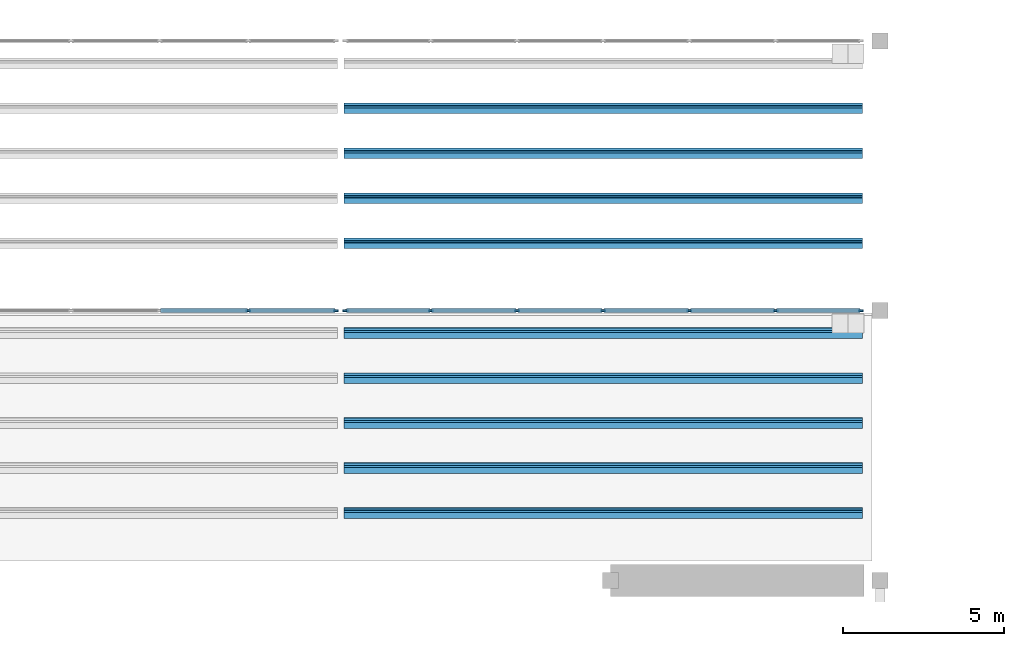
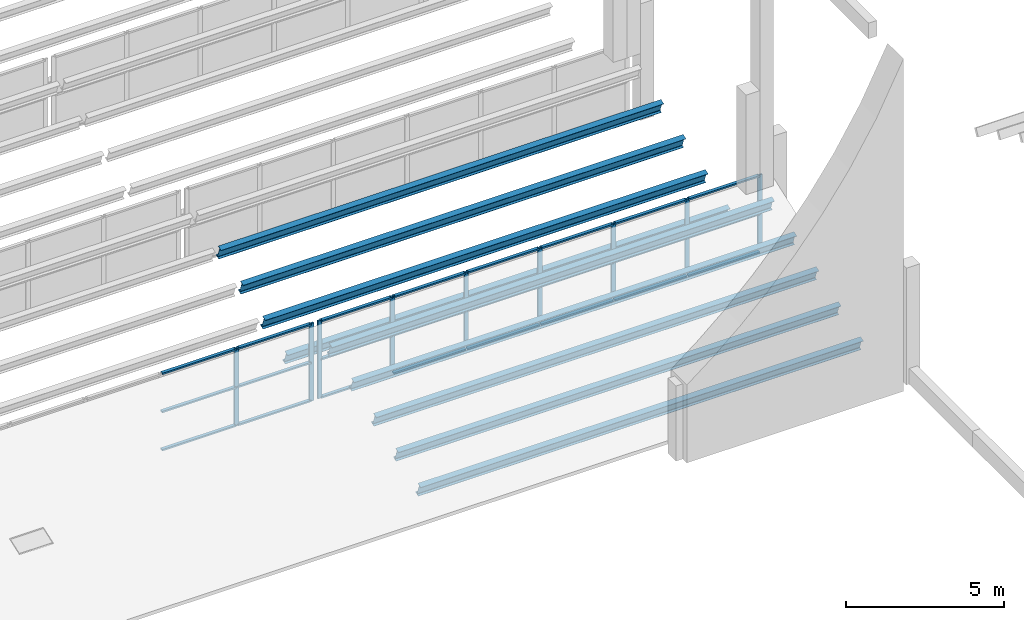
# One storey, part 20 of 116: 42 members, 2 elements without a shape of their own.
"""IFC4 building model written with IfcOpenShell, lengths in metres."""

from ifc_helpers import new_model, si_unit, direction, frame, origin, origin_2d, place, context, subcontext, project, spatial, rectangle, i_section, extrude, material, material_profile, profile_set, type_object, element, aggregate, save


model = new_model("IFC4")

# Units and contexts
model_context = context("Model", 3, precision=1e-05, world=origin(), true_north=direction((0.0, 1.0)))
body_context = subcontext(model_context, "Body", "Model", "MODEL_VIEW")
ifc_project = project(units=[si_unit("LENGTHUNIT", "METRE"), si_unit("AREAUNIT", "SQUARE_METRE"), si_unit("VOLUMEUNIT", "CUBIC_METRE"), si_unit("PLANEANGLEUNIT", "RADIAN"), si_unit("MASSUNIT", "GRAM", prefix="KILO")], contexts=[model_context])

# Site, building, storey
site_placement = place(None, origin())
site = spatial("IfcSite", under=ifc_project, at=site_placement, CompositionType="ELEMENT")
building_placement = place(site_placement, origin())
building = spatial("IfcBuilding", under=site, at=building_placement, Name="Fescue Hill Polytechnic", CompositionType="ELEMENT")
storey_placement = place(building_placement, frame((0.0, 0.0, 13.5)))
storey = spatial("IfcBuildingStorey", under=building, at=storey_placement, Name="L03", CompositionType="ELEMENT", Elevation=13.5)

# Curtain wall, members
ifc_material_1 = material(Name="Aluminium and glass", Category="aluminium")
curtain_wall_type = type_object("IfcCurtainWallType", Name="Sawtooth north glazing curtain wall", PredefinedType="NOTDEFINED", material=ifc_material_1)
curtain_wall_1_placement = place(storey_placement, origin())
curtain_wall_1 = element("IfcCurtainWall", 1, at=curtain_wall_1_placement, inside=storey, type_object=curtain_wall_type, Name="Sawtooth 1 north glazing bay 6", PredefinedType="NOTDEFINED")
ifc_material_2 = material(Name="Aluminium", Category="aluminium")
ifc_material_profile_1 = material_profile(ifc_material_2, rectangle(XDim=0.06005859375, YDim=0.159912109375, at=origin_2d()), Name="Curtain wall mullion 60x160")
ifc_profile_set_1 = profile_set([ifc_material_profile_1], Name="Aluminium")
member_type_1 = type_object("IfcMemberType", Name="Curtain wall mullion 60x160", PredefinedType="MULLION", material=ifc_profile_set_1)
member_1_placement = place(storey_placement, frame((97.919921875, 25.199951171875, 0.0), z_axis=(0.0, 0.0, 1.0), x_axis=(0.0, 1.0, 0.0)))
member_1 = element("IfcMember", 2, at=member_1_placement, type_object=member_type_1, Name="CW6 mullion 6", PredefinedType="MULLION", context=body_context, shape_type="SweptSolid", body=[
    extrude(rectangle(XDim=0.06005859375, YDim=0.159912109375, at=origin_2d()), origin(), (0.0, 0.0, 1.0), 3.0),
])
member_2_placement = place(storey_placement, frame((100.64990234375, 25.199951171875, 0.0), z_axis=(0.0, 0.0, 1.0), x_axis=(0.0, 1.0, 0.0)))
member_2 = element("IfcMember", 3, at=member_2_placement, type_object=member_type_1, Name="CW6 mullion 7", PredefinedType="MULLION", context=body_context, shape_type="SweptSolid", body=[
    extrude(rectangle(XDim=0.06005859375, YDim=0.159912109375, at=origin_2d()), origin(), (0.0, 0.0, 1.0), 3.0),
])

curtain_wall_2_placement = place(storey_placement, origin())
curtain_wall_2 = element("IfcCurtainWall", 4, at=curtain_wall_2_placement, inside=storey, type_object=curtain_wall_type, Name="Sawtooth 1 north glazing bay 7", PredefinedType="NOTDEFINED")
member_3_placement = place(storey_placement, frame((100.949951171875, 25.199951171875, 0.0), z_axis=(0.0, 0.0, 1.0), x_axis=(0.0, 1.0, 0.0)))
member_3 = element("IfcMember", 5, at=member_3_placement, type_object=member_type_1, Name="CW7 mullion 1", PredefinedType="MULLION", context=body_context, shape_type="SweptSolid", body=[
    extrude(rectangle(XDim=0.06005859375, YDim=0.159912109375, at=origin_2d()), origin(), (0.0, 0.0, 1.0), 3.0),
])
member_4_placement = place(storey_placement, frame((103.60498046875, 25.199951171875, 0.0), z_axis=(0.0, 0.0, 1.0), x_axis=(0.0, 1.0, 0.0)))
member_4 = element("IfcMember", 6, at=member_4_placement, type_object=member_type_1, Name="CW7 mullion 2", PredefinedType="MULLION", context=body_context, shape_type="SweptSolid", body=[
    extrude(rectangle(XDim=0.06005859375, YDim=0.159912109375, at=origin_2d()), origin(), (0.0, 0.0, 1.0), 3.0),
])
member_5_placement = place(storey_placement, frame((106.2900390625, 25.199951171875, 0.0), z_axis=(0.0, 0.0, 1.0), x_axis=(0.0, 1.0, 0.0)))
member_5 = element("IfcMember", 7, at=member_5_placement, type_object=member_type_1, Name="CW7 mullion 3", PredefinedType="MULLION", context=body_context, shape_type="SweptSolid", body=[
    extrude(rectangle(XDim=0.06005859375, YDim=0.159912109375, at=origin_2d()), origin(), (0.0, 0.0, 1.0), 3.0),
])
member_6_placement = place(storey_placement, frame((108.97509765625, 25.199951171875, 0.0), z_axis=(0.0, 0.0, 1.0), x_axis=(0.0, 1.0, 0.0)))
member_6 = element("IfcMember", 8, at=member_6_placement, type_object=member_type_1, Name="CW7 mullion 4", PredefinedType="MULLION", context=body_context, shape_type="SweptSolid", body=[
    extrude(rectangle(XDim=0.06005859375, YDim=0.159912109375, at=origin_2d()), origin(), (0.0, 0.0, 1.0), 3.0),
])
member_7_placement = place(storey_placement, frame((111.659912109375, 25.199951171875, 0.0), z_axis=(0.0, 0.0, 1.0), x_axis=(0.0, 1.0, 0.0)))
member_7 = element("IfcMember", 9, at=member_7_placement, type_object=member_type_1, Name="CW7 mullion 5", PredefinedType="MULLION", context=body_context, shape_type="SweptSolid", body=[
    extrude(rectangle(XDim=0.06005859375, YDim=0.159912109375, at=origin_2d()), origin(), (0.0, 0.0, 1.0), 3.0),
])
member_8_placement = place(storey_placement, frame((114.344970703125, 25.199951171875, 0.0), z_axis=(0.0, 0.0, 1.0), x_axis=(0.0, 1.0, 0.0)))
member_8 = element("IfcMember", 10, at=member_8_placement, type_object=member_type_1, Name="CW7 mullion 6", PredefinedType="MULLION", context=body_context, shape_type="SweptSolid", body=[
    extrude(rectangle(XDim=0.06005859375, YDim=0.159912109375, at=origin_2d()), origin(), (0.0, 0.0, 1.0), 3.0),
])
member_9_placement = place(storey_placement, frame((117.0, 25.199951171875, 0.0), z_axis=(0.0, 0.0, 1.0), x_axis=(0.0, 1.0, 0.0)))
member_9 = element("IfcMember", 11, at=member_9_placement, type_object=member_type_1, Name="CW7 mullion 7", PredefinedType="MULLION", context=body_context, shape_type="SweptSolid", body=[
    extrude(rectangle(XDim=0.06005859375, YDim=0.159912109375, at=origin_2d()), origin(), (0.0, 0.0, 1.0), 3.0),
])

# Member
ifc_material_profile_2 = material_profile(ifc_material_2, rectangle(XDim=0.1201171875, YDim=0.06005859375, at=origin_2d()), Name="Curtain wall transom 60x120")
ifc_profile_set_2 = profile_set([ifc_material_profile_2], Name="Aluminium")
member_type_2 = type_object("IfcMemberType", Name="Curtain wall transom 60x120", PredefinedType="USERDEFINED", material=ifc_profile_set_2)
member_10_placement = place(storey_placement, frame((95.18994140625, 25.199951171875, 0.030029296875), z_axis=(1.0, 0.0, 0.0), x_axis=(0.0, 1.0, 0.0)))
member_10 = element("IfcMember", 12, at=member_10_placement, type_object=member_type_2, Name="CW6 transom 5.1", ObjectType="TRANSOM", PredefinedType="USERDEFINED", context=body_context, shape_type="SweptSolid", body=[
    extrude(rectangle(XDim=0.1201171875, YDim=0.06005859375, at=origin_2d()), origin(), (0.0, 0.0, 1.0), 2.699951171875),
])

member_11_placement = place(storey_placement, frame((95.18994140625, 25.199951171875, 1.5), z_axis=(1.0, 0.0, 0.0), x_axis=(0.0, 1.0, 0.0)))
member_11 = element("IfcMember", 13, at=member_11_placement, type_object=member_type_2, Name="CW6 transom 5.2", ObjectType="TRANSOM", PredefinedType="USERDEFINED", context=body_context, shape_type="SweptSolid", body=[
    extrude(rectangle(XDim=0.1201171875, YDim=0.06005859375, at=origin_2d()), origin(), (0.0, 0.0, 1.0), 2.699951171875),
])

member_12_placement = place(storey_placement, frame((95.18994140625, 25.199951171875, 2.969970703125), z_axis=(1.0, 0.0, 0.0), x_axis=(0.0, 1.0, 0.0)))
member_12 = element("IfcMember", 14, at=member_12_placement, type_object=member_type_2, Name="CW6 transom 5.3", ObjectType="TRANSOM", PredefinedType="USERDEFINED", context=body_context, shape_type="SweptSolid", body=[
    extrude(rectangle(XDim=0.1201171875, YDim=0.06005859375, at=origin_2d()), origin(), (0.0, 0.0, 1.0), 2.699951171875),
])

member_13_placement = place(storey_placement, frame((97.949951171875, 25.199951171875, 0.030029296875), z_axis=(1.0, 0.0, 0.0), x_axis=(0.0, 1.0, 0.0)))
member_13 = element("IfcMember", 15, at=member_13_placement, type_object=member_type_2, Name="CW6 transom 6.1", ObjectType="TRANSOM", PredefinedType="USERDEFINED", context=body_context, shape_type="SweptSolid", body=[
    extrude(rectangle(XDim=0.1201171875, YDim=0.06005859375, at=origin_2d()), origin(), (0.0, 0.0, 1.0), 2.670166015625),
])

member_14_placement = place(storey_placement, frame((97.949951171875, 25.199951171875, 1.5), z_axis=(1.0, 0.0, 0.0), x_axis=(0.0, 1.0, 0.0)))
member_14 = element("IfcMember", 16, at=member_14_placement, type_object=member_type_2, Name="CW6 transom 6.2", ObjectType="TRANSOM", PredefinedType="USERDEFINED", context=body_context, shape_type="SweptSolid", body=[
    extrude(rectangle(XDim=0.1201171875, YDim=0.06005859375, at=origin_2d()), origin(), (0.0, 0.0, 1.0), 2.670166015625),
])

member_15_placement = place(storey_placement, frame((97.949951171875, 25.199951171875, 2.969970703125), z_axis=(1.0, 0.0, 0.0), x_axis=(0.0, 1.0, 0.0)))
member_15 = element("IfcMember", 17, at=member_15_placement, type_object=member_type_2, Name="CW6 transom 6.3", ObjectType="TRANSOM", PredefinedType="USERDEFINED", context=body_context, shape_type="SweptSolid", body=[
    extrude(rectangle(XDim=0.1201171875, YDim=0.06005859375, at=origin_2d()), origin(), (0.0, 0.0, 1.0), 2.670166015625),
])

aggregate(curtain_wall_1, [member_1, member_2, member_10, member_11, member_12, member_13, member_14, member_15])

member_16_placement = place(storey_placement, frame((100.97998046875, 25.199951171875, 0.030029296875), z_axis=(1.0, 0.0, 0.0), x_axis=(0.0, 1.0, 0.0)))
member_16 = element("IfcMember", 18, at=member_16_placement, type_object=member_type_2, Name="CW7 transom 1.1", ObjectType="TRANSOM", PredefinedType="USERDEFINED", context=body_context, shape_type="SweptSolid", body=[
    extrude(rectangle(XDim=0.1201171875, YDim=0.06005859375, at=origin_2d()), origin(), (0.0, 0.0, 1.0), 2.594970703125),
])

member_17_placement = place(storey_placement, frame((100.97998046875, 25.199951171875, 1.5), z_axis=(1.0, 0.0, 0.0), x_axis=(0.0, 1.0, 0.0)))
member_17 = element("IfcMember", 19, at=member_17_placement, type_object=member_type_2, Name="CW7 transom 1.2", ObjectType="TRANSOM", PredefinedType="USERDEFINED", context=body_context, shape_type="SweptSolid", body=[
    extrude(rectangle(XDim=0.1201171875, YDim=0.06005859375, at=origin_2d()), origin(), (0.0, 0.0, 1.0), 2.594970703125),
])

member_18_placement = place(storey_placement, frame((100.97998046875, 25.199951171875, 2.969970703125), z_axis=(1.0, 0.0, 0.0), x_axis=(0.0, 1.0, 0.0)))
member_18 = element("IfcMember", 20, at=member_18_placement, type_object=member_type_2, Name="CW7 transom 1.3", ObjectType="TRANSOM", PredefinedType="USERDEFINED", context=body_context, shape_type="SweptSolid", body=[
    extrude(rectangle(XDim=0.1201171875, YDim=0.06005859375, at=origin_2d()), origin(), (0.0, 0.0, 1.0), 2.594970703125),
])

member_19_placement = place(storey_placement, frame((103.635009765625, 25.199951171875, 0.030029296875), z_axis=(1.0, 0.0, 0.0), x_axis=(0.0, 1.0, 0.0)))
member_19 = element("IfcMember", 21, at=member_19_placement, type_object=member_type_2, Name="CW7 transom 2.1", ObjectType="TRANSOM", PredefinedType="USERDEFINED", context=body_context, shape_type="SweptSolid", body=[
    extrude(rectangle(XDim=0.1201171875, YDim=0.06005859375, at=origin_2d()), origin(), (0.0, 0.0, 1.0), 2.625),
])

member_20_placement = place(storey_placement, frame((103.635009765625, 25.199951171875, 1.5), z_axis=(1.0, 0.0, 0.0), x_axis=(0.0, 1.0, 0.0)))
member_20 = element("IfcMember", 22, at=member_20_placement, type_object=member_type_2, Name="CW7 transom 2.2", ObjectType="TRANSOM", PredefinedType="USERDEFINED", context=body_context, shape_type="SweptSolid", body=[
    extrude(rectangle(XDim=0.1201171875, YDim=0.06005859375, at=origin_2d()), origin(), (0.0, 0.0, 1.0), 2.625),
])

member_21_placement = place(storey_placement, frame((103.635009765625, 25.199951171875, 2.969970703125), z_axis=(1.0, 0.0, 0.0), x_axis=(0.0, 1.0, 0.0)))
member_21 = element("IfcMember", 23, at=member_21_placement, type_object=member_type_2, Name="CW7 transom 2.3", ObjectType="TRANSOM", PredefinedType="USERDEFINED", context=body_context, shape_type="SweptSolid", body=[
    extrude(rectangle(XDim=0.1201171875, YDim=0.06005859375, at=origin_2d()), origin(), (0.0, 0.0, 1.0), 2.625),
])

member_22_placement = place(storey_placement, frame((106.320068359375, 25.199951171875, 0.030029296875), z_axis=(1.0, 0.0, 0.0), x_axis=(0.0, 1.0, 0.0)))
member_22 = element("IfcMember", 24, at=member_22_placement, type_object=member_type_2, Name="CW7 transom 3.1", ObjectType="TRANSOM", PredefinedType="USERDEFINED", context=body_context, shape_type="SweptSolid", body=[
    extrude(rectangle(XDim=0.1201171875, YDim=0.06005859375, at=origin_2d()), origin(), (0.0, 0.0, 1.0), 2.625),
])

member_23_placement = place(storey_placement, frame((106.320068359375, 25.199951171875, 1.5), z_axis=(1.0, 0.0, 0.0), x_axis=(0.0, 1.0, 0.0)))
member_23 = element("IfcMember", 25, at=member_23_placement, type_object=member_type_2, Name="CW7 transom 3.2", ObjectType="TRANSOM", PredefinedType="USERDEFINED", context=body_context, shape_type="SweptSolid", body=[
    extrude(rectangle(XDim=0.1201171875, YDim=0.06005859375, at=origin_2d()), origin(), (0.0, 0.0, 1.0), 2.625),
])

member_24_placement = place(storey_placement, frame((106.320068359375, 25.199951171875, 2.969970703125), z_axis=(1.0, 0.0, 0.0), x_axis=(0.0, 1.0, 0.0)))
member_24 = element("IfcMember", 26, at=member_24_placement, type_object=member_type_2, Name="CW7 transom 3.3", ObjectType="TRANSOM", PredefinedType="USERDEFINED", context=body_context, shape_type="SweptSolid", body=[
    extrude(rectangle(XDim=0.1201171875, YDim=0.06005859375, at=origin_2d()), origin(), (0.0, 0.0, 1.0), 2.625),
])

member_25_placement = place(storey_placement, frame((109.0048828125, 25.199951171875, 0.030029296875), z_axis=(1.0, 0.0, 0.0), x_axis=(0.0, 1.0, 0.0)))
member_25 = element("IfcMember", 27, at=member_25_placement, type_object=member_type_2, Name="CW7 transom 4.1", ObjectType="TRANSOM", PredefinedType="USERDEFINED", context=body_context, shape_type="SweptSolid", body=[
    extrude(rectangle(XDim=0.1201171875, YDim=0.06005859375, at=origin_2d()), origin(), (0.0, 0.0, 1.0), 2.625),
])

member_26_placement = place(storey_placement, frame((109.0048828125, 25.199951171875, 1.5), z_axis=(1.0, 0.0, 0.0), x_axis=(0.0, 1.0, 0.0)))
member_26 = element("IfcMember", 28, at=member_26_placement, type_object=member_type_2, Name="CW7 transom 4.2", ObjectType="TRANSOM", PredefinedType="USERDEFINED", context=body_context, shape_type="SweptSolid", body=[
    extrude(rectangle(XDim=0.1201171875, YDim=0.06005859375, at=origin_2d()), origin(), (0.0, 0.0, 1.0), 2.625),
])

member_27_placement = place(storey_placement, frame((109.0048828125, 25.199951171875, 2.969970703125), z_axis=(1.0, 0.0, 0.0), x_axis=(0.0, 1.0, 0.0)))
member_27 = element("IfcMember", 29, at=member_27_placement, type_object=member_type_2, Name="CW7 transom 4.3", ObjectType="TRANSOM", PredefinedType="USERDEFINED", context=body_context, shape_type="SweptSolid", body=[
    extrude(rectangle(XDim=0.1201171875, YDim=0.06005859375, at=origin_2d()), origin(), (0.0, 0.0, 1.0), 2.625),
])

member_28_placement = place(storey_placement, frame((111.68994140625, 25.199951171875, 0.030029296875), z_axis=(1.0, 0.0, 0.0), x_axis=(0.0, 1.0, 0.0)))
member_28 = element("IfcMember", 30, at=member_28_placement, type_object=member_type_2, Name="CW7 transom 5.1", ObjectType="TRANSOM", PredefinedType="USERDEFINED", context=body_context, shape_type="SweptSolid", body=[
    extrude(rectangle(XDim=0.1201171875, YDim=0.06005859375, at=origin_2d()), origin(), (0.0, 0.0, 1.0), 2.625),
])

member_29_placement = place(storey_placement, frame((111.68994140625, 25.199951171875, 1.5), z_axis=(1.0, 0.0, 0.0), x_axis=(0.0, 1.0, 0.0)))
member_29 = element("IfcMember", 31, at=member_29_placement, type_object=member_type_2, Name="CW7 transom 5.2", ObjectType="TRANSOM", PredefinedType="USERDEFINED", context=body_context, shape_type="SweptSolid", body=[
    extrude(rectangle(XDim=0.1201171875, YDim=0.06005859375, at=origin_2d()), origin(), (0.0, 0.0, 1.0), 2.625),
])

member_30_placement = place(storey_placement, frame((111.68994140625, 25.199951171875, 2.969970703125), z_axis=(1.0, 0.0, 0.0), x_axis=(0.0, 1.0, 0.0)))
member_30 = element("IfcMember", 32, at=member_30_placement, type_object=member_type_2, Name="CW7 transom 5.3", ObjectType="TRANSOM", PredefinedType="USERDEFINED", context=body_context, shape_type="SweptSolid", body=[
    extrude(rectangle(XDim=0.1201171875, YDim=0.06005859375, at=origin_2d()), origin(), (0.0, 0.0, 1.0), 2.625),
])

member_31_placement = place(storey_placement, frame((114.375, 25.199951171875, 0.030029296875), z_axis=(1.0, 0.0, 0.0), x_axis=(0.0, 1.0, 0.0)))
member_31 = element("IfcMember", 33, at=member_31_placement, type_object=member_type_2, Name="CW7 transom 6.1", ObjectType="TRANSOM", PredefinedType="USERDEFINED", context=body_context, shape_type="SweptSolid", body=[
    extrude(rectangle(XDim=0.1201171875, YDim=0.06005859375, at=origin_2d()), origin(), (0.0, 0.0, 1.0), 2.594970703125),
])

member_32_placement = place(storey_placement, frame((114.375, 25.199951171875, 1.5), z_axis=(1.0, 0.0, 0.0), x_axis=(0.0, 1.0, 0.0)))
member_32 = element("IfcMember", 34, at=member_32_placement, type_object=member_type_2, Name="CW7 transom 6.2", ObjectType="TRANSOM", PredefinedType="USERDEFINED", context=body_context, shape_type="SweptSolid", body=[
    extrude(rectangle(XDim=0.1201171875, YDim=0.06005859375, at=origin_2d()), origin(), (0.0, 0.0, 1.0), 2.594970703125),
])

member_33_placement = place(storey_placement, frame((114.375, 25.199951171875, 2.969970703125), z_axis=(1.0, 0.0, 0.0), x_axis=(0.0, 1.0, 0.0)))
member_33 = element("IfcMember", 35, at=member_33_placement, type_object=member_type_2, Name="CW7 transom 6.3", ObjectType="TRANSOM", PredefinedType="USERDEFINED", context=body_context, shape_type="SweptSolid", body=[
    extrude(rectangle(XDim=0.1201171875, YDim=0.06005859375, at=origin_2d()), origin(), (0.0, 0.0, 1.0), 2.594970703125),
])

aggregate(curtain_wall_2, [member_3, member_4, member_5, member_6, member_7, member_8, member_9, member_16, member_17, member_18, member_19, member_20, member_21, member_22, member_23, member_24, member_25, member_26, member_27, member_28, member_29, member_30, member_31, member_32, member_33])

# Members
ifc_material_3 = material(Name="Steel 350W (350 MPa)", Category="steel")
ifc_material_profile_3 = material_profile(ifc_material_3, i_section(OverallWidth=0.18994140625, OverallDepth=0.45703125, WebThickness=0.009033203125, FlangeThickness=0.014404296875, FilletRadius=0.0166015625, at=origin_2d()), Name="W460x74")
ifc_profile_set_3 = profile_set([ifc_material_profile_3], Name="Steel 350W (350 MPa)")
member_type_3 = type_object("IfcMemberType", Name="Tooth purlin W460x74", PredefinedType="PURLIN", material=ifc_profile_set_3)
for number, where, z_axis, x_axis, name in (
    (36, (100.904541015625, 18.89990234375, 0.294921875), (1.0, 0.0, 0.0), (0.0, 0.941741911595, 0.336336396997), "Tooth 1 purlin 2 bay 7"),
    (37, (100.904541015625, 20.300048828125, 0.794921875), (1.0, 0.0, 0.0), (0.0, 0.941741911595, 0.336336396997), "Tooth 1 purlin 3 bay 7"),
    (38, (100.904541015625, 21.699951171875, 1.294921875), (1.0, 0.0, 0.0), (0.0, 0.941741911595, 0.336336396997), "Tooth 1 purlin 4 bay 7"),
    (39, (100.904541015625, 23.10009765625, 1.794921875), (1.0, 0.0, 0.0), (0.0, 0.941741911595, 0.336336396997), "Tooth 1 purlin 5 bay 7"),
    (40, (100.904541015625, 27.300048828125, 0.294921875), (1.0, 0.0, 0.0), (0.0, 0.941741911595, 0.336336396997), "Tooth 2 purlin 2 bay 7"),
    (41, (100.904541015625, 28.699951171875, 0.794921875), (1.0, 0.0, 0.0), (0.0, 0.941741911595, 0.336336396997), "Tooth 2 purlin 3 bay 7"),
    (42, (100.904541015625, 30.10009765625, 1.294921875), (1.0, 0.0, 0.0), (0.0, 0.941741911595, 0.336336396997), "Tooth 2 purlin 4 bay 7"),
    (43, (100.904541015625, 31.5, 1.794921875), (1.0, 0.0, 0.0), (0.0, 0.941741911595, 0.336336396997), "Tooth 2 purlin 5 bay 7"),
):
    element("IfcMember", number, at=place(storey_placement, frame(where, z_axis=z_axis, x_axis=x_axis)), inside=storey, type_object=member_type_3, Name=name, PredefinedType="PURLIN", context=body_context, shape_type="SweptSolid", body=[
        extrude(i_section(OverallWidth=0.18994140625, OverallDepth=0.45703125, WebThickness=0.009033203125, FlangeThickness=0.014404296875, FilletRadius=0.0166015625, at=origin_2d()), origin(), (0.0, 0.0, 1.0), 16.140869140625),
    ])
ifc_material_profile_4 = material_profile(ifc_material_3, i_section(OverallWidth=0.193115234375, OverallDepth=0.466064453125, WebThickness=0.011474609375, FlangeThickness=0.01904296875, FilletRadius=0.01708984375, at=origin_2d()), Name="W460x97")
ifc_profile_set_4 = profile_set([ifc_material_profile_4], Name="Steel 350W (350 MPa)")
member_type_4 = type_object("IfcMemberType", Name="Tooth ridge purlin W460x97", PredefinedType="PURLIN", material=ifc_profile_set_4)
member_34_placement = place(storey_placement, frame((100.904541015625, 24.5, 2.290283203125), z_axis=(1.0, 0.0, 0.0), x_axis=(0.0, 0.941741911595, 0.336336396997)))
element("IfcMember", 44, at=member_34_placement, inside=storey, type_object=member_type_4, Name="Tooth 1 ridge purlin bay 7", PredefinedType="PURLIN", context=body_context, shape_type="SweptSolid", body=[
    extrude(i_section(OverallWidth=0.193115234375, OverallDepth=0.466064453125, WebThickness=0.011474609375, FlangeThickness=0.01904296875, FilletRadius=0.01708984375, at=origin_2d()), origin(), (0.0, 0.0, 1.0), 16.140869140625),
])

save(model, "model.ifc")
